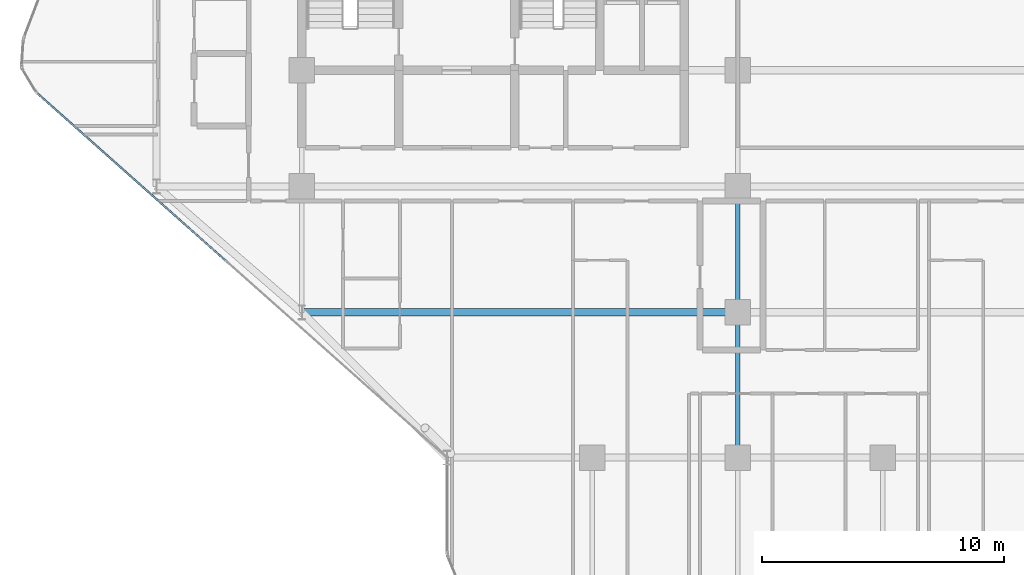
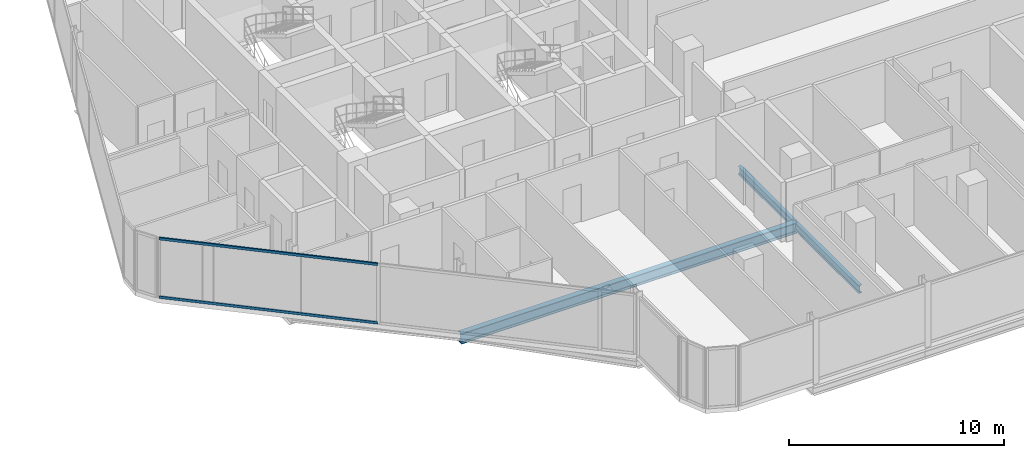
# One storey, part 5 of 29: 3 beams, 2 members, 1 element without a shape of its own.
"""IFC4 building model written with IfcOpenShell, lengths in metres."""

from ifc_helpers import new_model, si_unit, direction, frame, origin, origin_2d, place, context, subcontext, project, spatial, hollow_rectangle, i_section, extrude, material, layer, layer_set, material_profile, profile_set, type_object, element, aggregate, save


model = new_model("IFC4")

# Units and contexts
model_context = context("Model", 3, precision=1e-05, world=origin(), true_north=direction((0.0, 1.0)))
body_context = subcontext(model_context, "Body", "Model", "MODEL_VIEW")
ifc_project = project(units=[si_unit("LENGTHUNIT", "METRE"), si_unit("AREAUNIT", "SQUARE_METRE"), si_unit("VOLUMEUNIT", "CUBIC_METRE"), si_unit("PLANEANGLEUNIT", "RADIAN"), si_unit("MASSUNIT", "GRAM", prefix="KILO")], contexts=[model_context])

# Site, building, storey
site_placement = place(None, origin())
site = spatial("IfcSite", under=ifc_project, at=site_placement, CompositionType="ELEMENT")
building_placement = place(site_placement, origin())
building = spatial("IfcBuilding", under=site, at=building_placement, Name="Keshet Zoharim Tower", CompositionType="ELEMENT")
storey_placement = place(building_placement, frame((0.0, 0.0, 105.699951171875)))
storey = spatial("IfcBuildingStorey", under=building, at=storey_placement, Name="L25", CompositionType="ELEMENT", Elevation=105.699951171875)

# Beams
ifc_material_1 = material(Name="Steel S355", Category="steel")
ifc_material_profile_1 = material_profile(ifc_material_1, i_section(OverallWidth=0.300048828125, OverallDepth=0.60009765625, WebThickness=0.015380859375, FlangeThickness=0.030029296875, FilletRadius=0.027099609375, at=origin_2d()), Name="HEB600")
ifc_profile_set_1 = profile_set([ifc_material_profile_1], Name="Steel S355")
beam_type_1 = type_object("IfcBeamType", Name="BM-LNG-HB600", PredefinedType="BEAM", material=ifc_profile_set_1)
beam_1_placement = place(storey_placement, frame((15.0, 12.699951171875, -0.614990234375), z_axis=(1.0, 0.0, 0.0), x_axis=(0.0, 1.0, 0.0)))
element("IfcBeam", 1, at=beam_1_placement, inside=storey, type_object=beam_type_1, Name="L25 Primary Girder X-009", PredefinedType="BEAM", context=body_context, shape_type="SweptSolid", body=[
    extrude(i_section(OverallWidth=0.300048828125, OverallDepth=0.60009765625, WebThickness=0.015380859375, FlangeThickness=0.030029296875, FilletRadius=0.027099609375, at=origin_2d()), origin(), (0.0, 0.0, 1.0), 18.0),
])
ifc_material_profile_2 = material_profile(ifc_material_1, i_section(OverallWidth=0.18994140625, OverallDepth=0.449951171875, WebThickness=0.009521484375, FlangeThickness=0.0146484375, FilletRadius=0.02099609375, at=origin_2d()), Name="IPE450")
ifc_profile_set_2 = profile_set([ifc_material_profile_2], Name="Steel S355")
beam_type_2 = type_object("IfcBeamType", Name="BM-PRI-IP450", PredefinedType="BEAM", material=ifc_profile_set_2)
beam_2_placement = place(storey_placement, frame((33.0, 6.699951171875, -0.5400390625), z_axis=(0.0, 1.0, 0.0), x_axis=(-1.0, 0.0, 0.0)))
element("IfcBeam", 2, at=beam_2_placement, inside=storey, type_object=beam_type_2, Name="L25 Primary Girder Y-006", PredefinedType="BEAM", context=body_context, shape_type="SweptSolid", body=[
    extrude(i_section(OverallWidth=0.18994140625, OverallDepth=0.449951171875, WebThickness=0.009521484375, FlangeThickness=0.0146484375, FilletRadius=0.02099609375, at=origin_2d()), origin(), (0.0, 0.0, 1.0), 6.0),
])
beam_3_placement = place(storey_placement, frame((33.0, 12.699951171875, -0.5400390625), z_axis=(0.0, 1.0, 0.0), x_axis=(-1.0, 0.0, 0.0)))
element("IfcBeam", 3, at=beam_3_placement, inside=storey, type_object=beam_type_2, Name="L25 Primary Girder Y-007", PredefinedType="BEAM", context=body_context, shape_type="SweptSolid", body=[
    extrude(i_section(OverallWidth=0.18994140625, OverallDepth=0.449951171875, WebThickness=0.009521484375, FlangeThickness=0.0146484375, FilletRadius=0.02099609375, at=origin_2d()), origin(), (0.0, 0.0, 1.0), 5.199951171875),
])

# Curtain wall, members
ifc_material_2 = material(Name="Aluminium 6063-T6", Category="aluminium")
ifc_layer = layer(ifc_material_2, 0.159912109375)
ifc_layer_set = layer_set([ifc_layer], Name="Aluminium 6063-T6")
curtain_wall_type = type_object("IfcCurtainWallType", Name="CW-SYS-03", PredefinedType="NOTDEFINED", material=ifc_layer_set)
curtain_wall_placement = place(storey_placement, origin())
curtain_wall = element("IfcCurtainWall", 4, at=curtain_wall_placement, inside=storey, type_object=curtain_wall_type, Name="L25 Unitised Curtain Wall 07 Part 2", PredefinedType="NOTDEFINED")
ifc_material_profile_3 = material_profile(ifc_material_2, hollow_rectangle(XDim=0.080078125, YDim=0.139892578125, WallThickness=0.00390625, at=origin_2d()), Name="TRN-80x140")
ifc_profile_set_3 = profile_set([ifc_material_profile_3], Name="Aluminium 6063-T6")
member_type = type_object("IfcMemberType", Name="CWT-T14", PredefinedType="USERDEFINED", material=ifc_profile_set_3)
member_1_placement = place(storey_placement, frame((11.83349609375, 14.847900390625, 0.03515625), z_axis=(-0.747405419639, 0.664368225229, 0.0), x_axis=(-0.664368225229, -0.747405419639, 0.0)))
member_1 = element("IfcMember", 5, at=member_1_placement, type_object=member_type, Name="CW-03 transom 2.1", ObjectType="TRANSOM", PredefinedType="USERDEFINED", context=body_context, shape_type="SweptSolid", body=[
    extrude(hollow_rectangle(XDim=0.080078125, YDim=0.139892578125, WallThickness=0.00390625, at=origin_2d()), origin(), (0.0, 0.0, 1.0), 10.364013671875),
])
member_2_placement = place(storey_placement, frame((11.83349609375, 14.847900390625, 3.35009765625), z_axis=(-0.747405419639, 0.664368225229, 0.0), x_axis=(-0.664368225229, -0.747405419639, 0.0)))
member_2 = element("IfcMember", 6, at=member_2_placement, type_object=member_type, Name="CW-03 transom 2.2", ObjectType="TRANSOM", PredefinedType="USERDEFINED", context=body_context, shape_type="SweptSolid", body=[
    extrude(hollow_rectangle(XDim=0.080078125, YDim=0.139892578125, WallThickness=0.00390625, at=origin_2d()), origin(), (0.0, 0.0, 1.0), 10.364013671875),
])
aggregate(curtain_wall, [member_1, member_2])

save(model, "model.ifc")
